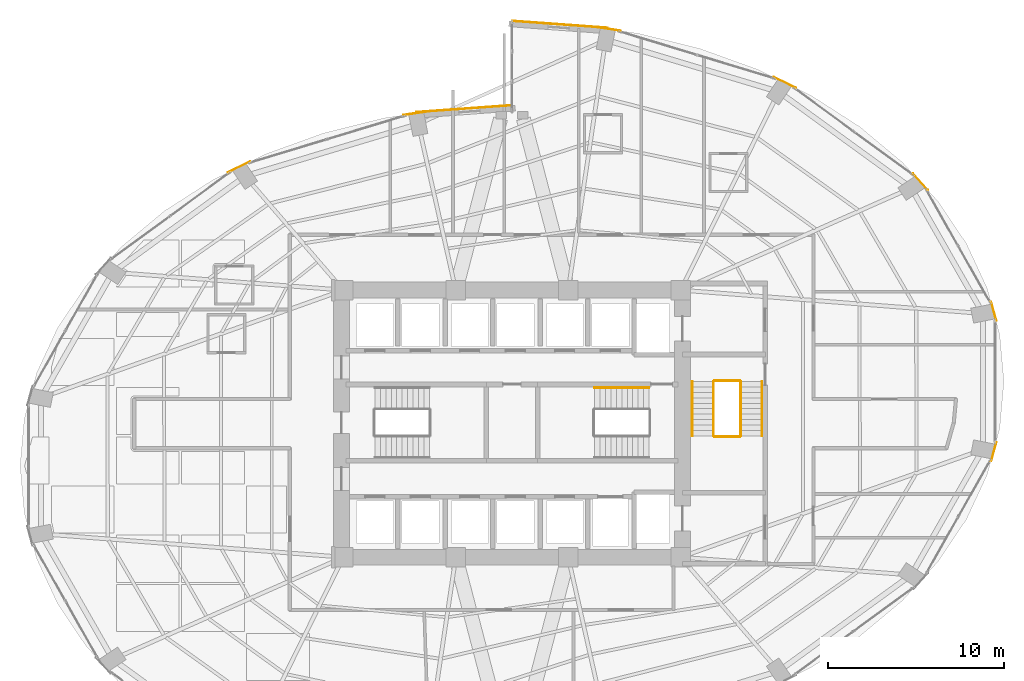
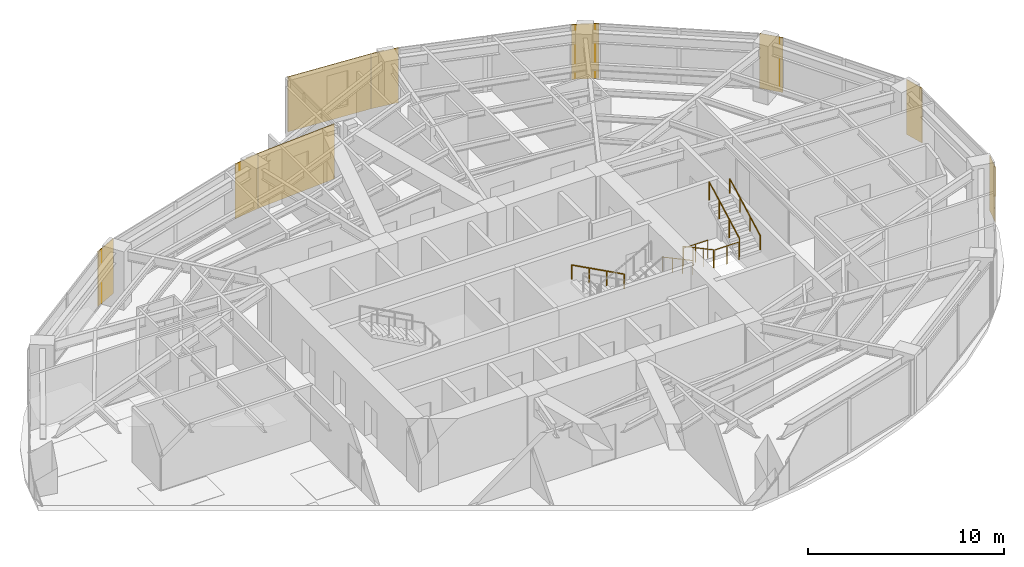
# One storey, part 25 of 25: 9 coverings, 7 railings.
"""IFC4 building model written with IfcOpenShell, lengths in metres."""

from ifc_helpers import new_model, si_unit, direction, frame, origin, origin_2d, place, context, subcontext, project, spatial, rectangle, circle, extrude, material, layer, layer_set, type_object, element, save


model = new_model("IFC4")

# Units and contexts
model_context = context("Model", 3, precision=1e-05, world=origin(), true_north=direction((0.0, 1.0)))
body_context = subcontext(model_context, "Body", "Model", "MODEL_VIEW")
ifc_project = project(units=[si_unit("LENGTHUNIT", "METRE"), si_unit("AREAUNIT", "SQUARE_METRE"), si_unit("VOLUMEUNIT", "CUBIC_METRE"), si_unit("PLANEANGLEUNIT", "RADIAN"), si_unit("MASSUNIT", "GRAM", prefix="KILO")], contexts=[model_context])

# Site, building, storey
site_placement = place(None, origin())
site = spatial("IfcSite", under=ifc_project, at=site_placement, CompositionType="ELEMENT")
building_placement = place(site_placement, origin())
building = spatial("IfcBuilding", under=site, at=building_placement, Name="Lazwardi Medical Tower", CompositionType="ELEMENT")
storey_placement = place(building_placement, frame((0.0, 0.0, 50.736083984375)))
storey = spatial("IfcBuildingStorey", under=building, at=storey_placement, Name="L12", CompositionType="ELEMENT", Elevation=50.736083984375)

# Coverings
ifc_material_1 = material(Name="Anodised bronze aluminium cassette cladding", Category="aluminium")
ifc_layer_1 = layer(ifc_material_1, 0.030029296875)
ifc_layer_set_1 = layer_set([ifc_layer_1], Name="Anodised bronze aluminium cassette cladding")
covering_type_1 = type_object("IfcCoveringType", Name="COV-CLD-BRZ", PredefinedType="CLADDING", material=ifc_layer_set_1)
for number, where, z_axis, x_axis, name in (
    (1, (63.420654296875, 26.408203125, 0.0), (0.0, 0.0, 1.0), (0.262283496593, 0.964990863902, 0.0), "L12 Mega-column bronze cassette cover M04"),
    (2, (63.420654296875, 34.3916015625, 0.0), (0.0, 0.0, 1.0), (-0.262283496593, 0.964990863902, 0.0), "L12 Mega-column bronze cassette cover M05"),
):
    element("IfcCovering", number, at=place(storey_placement, frame(where, z_axis=z_axis, x_axis=x_axis)), inside=storey, type_object=covering_type_1, Name=name, PredefinedType="CLADDING", context=body_context, shape_type="SweptSolid", body=[
        extrude(rectangle(XDim=1.12548828125, YDim=0.030029296875, at=origin_2d()), origin(), (0.0, 0.0, 1.0), 3.427978515625),
    ])
covering_1_placement = place(storey_placement, frame((59.24609375, 41.767333984375, 0.0), z_axis=(0.0, 0.0, 1.0), x_axis=(-0.674252120961, 0.738501237223, 0.0)))
element("IfcCovering", 3, at=covering_1_placement, inside=storey, type_object=covering_type_1, Name="L12 Mega-column bronze cassette cover M06", PredefinedType="CLADDING", context=body_context, shape_type="SweptSolid", body=[
    extrude(rectangle(XDim=1.24658203125, YDim=0.030029296875, at=origin_2d()), origin(), (0.0, 0.0, 1.0), 3.427978515625),
])
covering_2_placement = place(storey_placement, frame((51.532470703125, 47.412353515625, 0.0), z_axis=(0.0, 0.0, 1.0), x_axis=(-0.898334492373, 0.439312121178, 0.0)))
element("IfcCovering", 4, at=covering_2_placement, inside=storey, type_object=covering_type_1, Name="L12 Mega-column bronze cassette cover M07", PredefinedType="CLADDING", context=body_context, shape_type="SweptSolid", body=[
    extrude(rectangle(XDim=1.400390625, YDim=0.030029296875, at=origin_2d()), origin(), (0.0, 0.0, 1.0), 3.427978515625),
])
for number, where, z_axis, x_axis, name in (
    (5, (41.454345703125, 50.46728515625, 0.0), (0.0, 0.0, 1.0), (-0.98957259946, 0.144034962415, 0.0), "L12 Mega-column bronze cassette cover M08"),
    (6, (30.545654296875, 45.66748046875, 0.0), (0.0, 0.0, 1.0), (-0.98957259946, -0.144034962415, 0.0), "L12 Mega-column bronze cassette cover M09"),
):
    element("IfcCovering", number, at=place(storey_placement, frame(where, z_axis=z_axis, x_axis=x_axis)), inside=storey, type_object=covering_type_1, Name=name, PredefinedType="CLADDING", context=body_context, shape_type="SweptSolid", body=[
        extrude(rectangle(XDim=1.49951171875, YDim=0.030029296875, at=origin_2d()), origin(), (0.0, 0.0, 1.0), 3.427978515625),
    ])
covering_3_placement = place(storey_placement, frame((20.467529296875, 42.6123046875, 0.0), z_axis=(0.0, 0.0, 1.0), x_axis=(-0.898334492373, -0.439312121178, 0.0)))
element("IfcCovering", 7, at=covering_3_placement, inside=storey, type_object=covering_type_1, Name="L12 Mega-column bronze cassette cover M10", PredefinedType="CLADDING", context=body_context, shape_type="SweptSolid", body=[
    extrude(rectangle(XDim=1.400390625, YDim=0.030029296875, at=origin_2d()), origin(), (0.0, 0.0, 1.0), 3.427978515625),
])
ifc_material_2 = material(Name="Turquoise glazed ceramic tilework cladding", Category="masonry")
ifc_layer_2 = layer(ifc_material_2, 0.034912109375)
ifc_layer_set_2 = layer_set([ifc_layer_2], Name="Turquoise glazed ceramic tilework cladding")
covering_type_2 = type_object("IfcCoveringType", Name="COV-CLD-TRQ", PredefinedType="CLADDING", material=ifc_layer_set_2)
covering_4_placement = place(storey_placement, frame((38.728271484375, 50.719482421875, 0.0), z_axis=(0.0, 0.0, 1.0), x_axis=(-0.997421404513, 0.071767275412, 0.0)))
element("IfcCovering", 8, at=covering_4_placement, inside=storey, type_object=covering_type_2, Name="L12 Turquoise glazed ceramic tilework cladding", PredefinedType="CLADDING", context=body_context, shape_type="SweptSolid", body=[
    extrude(rectangle(XDim=5.4453125, YDim=0.034912109375, at=origin_2d()), origin(), (0.0, 0.0, 1.0), 3.427978515625),
])
covering_5_placement = place(storey_placement, frame((33.271484375, 45.919677734375, 0.0), z_axis=(0.0, 0.0, 1.0), x_axis=(-0.997420903458, -0.071774238726, 0.0)))
element("IfcCovering", 9, at=covering_5_placement, inside=storey, type_object=covering_type_2, Name="L12 Turquoise glazed ceramic tilework cladding", PredefinedType="CLADDING", context=body_context, shape_type="SweptSolid", body=[
    extrude(rectangle(XDim=5.44482421875, YDim=0.034912109375, at=origin_2d()), origin(), (0.0, 0.0, 1.0), 3.427978515625),
])

# Railings
ifc_material_3 = material(Name="Stainless steel Grade 316", Category="steel")
railing_type_1 = type_object("IfcRailingType", Name="RLG-GRD-1150", PredefinedType="GUARDRAIL", material=ifc_material_3)
railing_1_placement = place(storey_placement, frame((47.469970703125, 30.39990234375, 0.165771484375)))
element("IfcRailing", 10, at=railing_1_placement, inside=storey, type_object=railing_type_1, Name="L12 ST3 stair guard 1", PredefinedType="GUARDRAIL", context=body_context, shape_type="SweptSolid", body=[
    extrude(circle(Radius=0.02392578125, at=origin_2d()), frame((0.0, 0.0, 1.1259765625), z_axis=(0.0, -0.881767849116, 0.471683644262), x_axis=(1.0, 0.0, 0.0)), (0.0, 0.0, 1.0), 3.515380859375),
    extrude(circle(Radius=0.02099609375, at=origin_2d()), origin(), (0.0, 0.0, 1.0), 1.099853515625),
    extrude(circle(Radius=0.02099609375, at=origin_2d()), frame((0.0, -1.033203125, 0.552734375)), (0.0, 0.0, 1.0), 1.099853515625),
    extrude(circle(Radius=0.02099609375, at=origin_2d()), frame((0.0, -2.066650390625, 1.10546875)), (0.0, 0.0, 1.0), 1.099853515625),
    extrude(circle(Radius=0.02099609375, at=origin_2d()), frame((0.0, -3.099853515625, 1.658203125)), (0.0, 0.0, 1.0), 1.099853515625),
])
railing_2_placement = place(storey_placement, frame((47.52001953125, 27.25, 1.823974609375)))
element("IfcRailing", 11, at=railing_2_placement, inside=storey, type_object=railing_type_1, Name="L12 ST3 stair guard 2", PredefinedType="GUARDRAIL", context=body_context, shape_type="SweptSolid", body=[
    extrude(circle(Radius=0.02392578125, at=origin_2d()), frame((0.0, 0.0, 1.1259765625), z_axis=(1.0, 0.0, 0.0), x_axis=(0.0, 1.0, 0.0)), (0.0, 0.0, 1.0), 1.43994140625),
    extrude(circle(Radius=0.02099609375, at=origin_2d()), origin(), (0.0, 0.0, 1.0), 1.099853515625),
    extrude(circle(Radius=0.02099609375, at=origin_2d()), frame((0.719970703125, 0.0, 0.0)), (0.0, 0.0, 1.0), 1.099853515625),
    extrude(circle(Radius=0.02099609375, at=origin_2d()), frame((1.43994140625, 0.0, 0.0)), (0.0, 0.0, 1.0), 1.099853515625),
])
railing_3_placement = place(storey_placement, frame((49.010009765625, 27.300048828125, 1.98974609375)))
element("IfcRailing", 12, at=railing_3_placement, inside=storey, type_object=railing_type_1, Name="L12 ST3 stair guard 3", PredefinedType="GUARDRAIL", context=body_context, shape_type="SweptSolid", body=[
    extrude(circle(Radius=0.02392578125, at=origin_2d()), frame((0.0, 0.0, 1.1259765625), z_axis=(0.0, 0.881767849116, 0.471683644262), x_axis=(-1.0, 0.0, 0.0)), (0.0, 0.0, 1.0), 3.515380859375),
    extrude(circle(Radius=0.02099609375, at=origin_2d()), origin(), (0.0, 0.0, 1.0), 1.099853515625),
    extrude(circle(Radius=0.02099609375, at=origin_2d()), frame((0.0, 1.033203125, 0.552734375)), (0.0, 0.0, 1.0), 1.099853515625),
    extrude(circle(Radius=0.02099609375, at=origin_2d()), frame((0.0, 2.066650390625, 1.10546875)), (0.0, 0.0, 1.0), 1.099853515625),
    extrude(circle(Radius=0.02099609375, at=origin_2d()), frame((0.0, 3.099853515625, 1.658203125)), (0.0, 0.0, 1.0), 1.099853515625),
])
railing_4_placement = place(storey_placement, frame((47.52001953125, 30.449951171875, 0.0)))
element("IfcRailing", 13, at=railing_4_placement, inside=storey, type_object=railing_type_1, Name="L12 ST3 stair guard 4", PredefinedType="GUARDRAIL", context=body_context, shape_type="SweptSolid", body=[
    extrude(circle(Radius=0.02392578125, at=origin_2d()), frame((0.0, 0.0, 1.1259765625), z_axis=(1.0, 0.0, 0.0), x_axis=(0.0, 1.0, 0.0)), (0.0, 0.0, 1.0), 1.43994140625),
    extrude(circle(Radius=0.02099609375, at=origin_2d()), origin(), (0.0, 0.0, 1.0), 1.099853515625),
    extrude(circle(Radius=0.02099609375, at=origin_2d()), frame((0.719970703125, 0.0, 0.0)), (0.0, 0.0, 1.0), 1.099853515625),
    extrude(circle(Radius=0.02099609375, at=origin_2d()), frame((1.43994140625, 0.0, 0.0)), (0.0, 0.0, 1.0), 1.099853515625),
])
railing_type_2 = type_object("IfcRailingType", Name="RLG-HND-920", PredefinedType="HANDRAIL", material=ifc_material_3)
railing_5_placement = place(storey_placement, frame((43.800048828125, 30.050048828125, 0.165771484375)))
element("IfcRailing", 14, at=railing_5_placement, inside=storey, type_object=railing_type_2, Name="L12 ST2 stair handrail 1", PredefinedType="HANDRAIL", context=body_context, shape_type="SweptSolid", body=[
    extrude(circle(Radius=0.02392578125, at=origin_2d()), frame((0.0, 0.0, 0.8857421875), z_axis=(-0.881783298633, 0.0, 0.471654761719), x_axis=(0.0, -1.0, 0.0)), (0.0, 0.0, 1.0), 3.515625),
    extrude(circle(Radius=0.02099609375, at=origin_2d()), origin(), (0.0, 0.0, 1.0), 0.85986328125),
    extrude(circle(Radius=0.02099609375, at=origin_2d()), frame((-1.033447265625, 0.0, 0.552734375)), (0.0, 0.0, 1.0), 0.85986328125),
    extrude(circle(Radius=0.02099609375, at=origin_2d()), frame((-2.066650390625, 0.0, 1.10546875)), (0.0, 0.0, 1.0), 0.85986328125),
    extrude(circle(Radius=0.02099609375, at=origin_2d()), frame((-3.10009765625, 0.0, 1.658203125)), (0.0, 0.0, 1.0), 0.85986328125),
])
railing_6_placement = place(storey_placement, frame((46.25, 30.39990234375, 0.165771484375)))
element("IfcRailing", 15, at=railing_6_placement, inside=storey, type_object=railing_type_2, Name="L12 ST3 stair handrail 1", PredefinedType="HANDRAIL", context=body_context, shape_type="SweptSolid", body=[
    extrude(circle(Radius=0.02392578125, at=origin_2d()), frame((0.0, 0.0, 0.8857421875), z_axis=(0.0, -0.881767849116, 0.471683644262), x_axis=(1.0, 0.0, 0.0)), (0.0, 0.0, 1.0), 3.515380859375),
    extrude(circle(Radius=0.02099609375, at=origin_2d()), origin(), (0.0, 0.0, 1.0), 0.85986328125),
    extrude(circle(Radius=0.02099609375, at=origin_2d()), frame((0.0, -1.033203125, 0.552734375)), (0.0, 0.0, 1.0), 0.85986328125),
    extrude(circle(Radius=0.02099609375, at=origin_2d()), frame((0.0, -2.066650390625, 1.10546875)), (0.0, 0.0, 1.0), 0.85986328125),
    extrude(circle(Radius=0.02099609375, at=origin_2d()), frame((0.0, -3.099853515625, 1.658203125)), (0.0, 0.0, 1.0), 0.85986328125),
])
railing_7_placement = place(storey_placement, frame((50.22998046875, 27.300048828125, 1.98974609375)))
element("IfcRailing", 16, at=railing_7_placement, inside=storey, type_object=railing_type_2, Name="L12 ST3 stair handrail 2", PredefinedType="HANDRAIL", context=body_context, shape_type="SweptSolid", body=[
    extrude(circle(Radius=0.02392578125, at=origin_2d()), frame((0.0, 0.0, 0.8857421875), z_axis=(0.0, 0.881767849116, 0.471683644262), x_axis=(-1.0, 0.0, 0.0)), (0.0, 0.0, 1.0), 3.515380859375),
    extrude(circle(Radius=0.02099609375, at=origin_2d()), origin(), (0.0, 0.0, 1.0), 0.85986328125),
    extrude(circle(Radius=0.02099609375, at=origin_2d()), frame((0.0, 1.033203125, 0.552734375)), (0.0, 0.0, 1.0), 0.85986328125),
    extrude(circle(Radius=0.02099609375, at=origin_2d()), frame((0.0, 2.066650390625, 1.10546875)), (0.0, 0.0, 1.0), 0.85986328125),
    extrude(circle(Radius=0.02099609375, at=origin_2d()), frame((0.0, 3.099853515625, 1.658203125)), (0.0, 0.0, 1.0), 0.85986328125),
])

save(model, "model.ifc")
